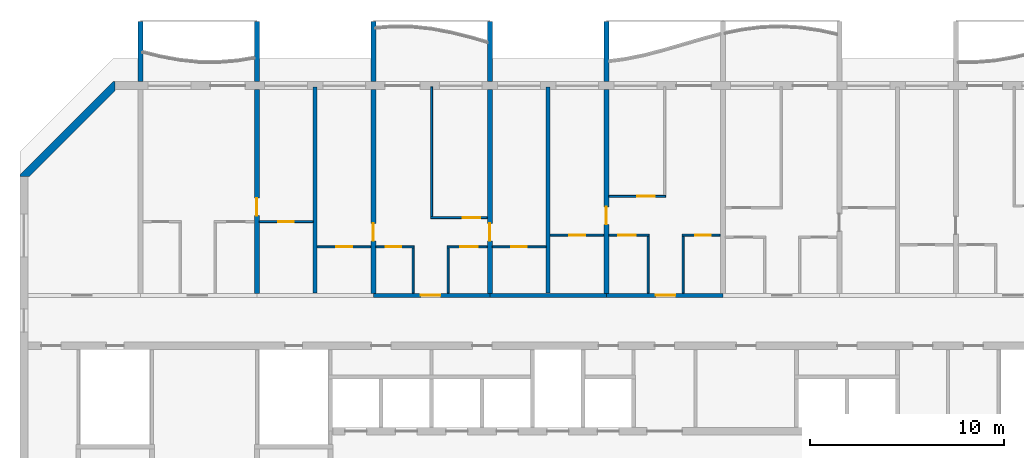
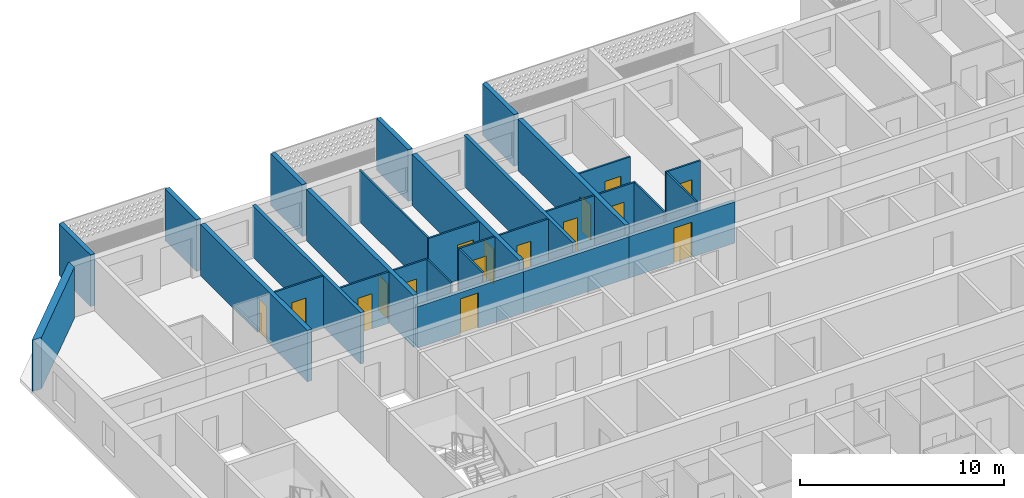
# One storey, part 8 of 26: 30 walls, 16 doors, 16 openings.
"""IFC4 building model written with IfcOpenShell, lengths in metres."""

from ifc_helpers import new_model, si_unit, direction, frame, frame_2d, origin, place, context, subcontext, project, spatial, polyline, rectangle, outline, extrude, source, transform, mapped, material, layer, layer_set, type_object, element, fill, save


model = new_model("IFC4")

# Units and contexts
model_context = context("Model", 3, precision=1e-05, world=origin(), true_north=direction((0.0, 1.0)))
body_context = subcontext(model_context, "Body", "Model", "MODEL_VIEW")
ifc_project = project(units=[si_unit("LENGTHUNIT", "METRE"), si_unit("AREAUNIT", "SQUARE_METRE"), si_unit("VOLUMEUNIT", "CUBIC_METRE"), si_unit("PLANEANGLEUNIT", "RADIAN"), si_unit("MASSUNIT", "GRAM", prefix="KILO")], contexts=[model_context])

# Site, building, storey
site_placement = place(None, origin())
site = spatial("IfcSite", under=ifc_project, at=site_placement, CompositionType="ELEMENT")
building_placement = place(site_placement, origin())
building = spatial("IfcBuilding", under=site, at=building_placement, Name="Poui Terraces", CompositionType="ELEMENT")
storey_placement = place(building_placement, frame((0.0, 0.0, 171.89990234375)))
storey = spatial("IfcBuildingStorey", under=building, at=storey_placement, Name="L47", CompositionType="ELEMENT", Elevation=171.89990234375)

# Wall, opening, door
ifc_material_1 = material(Name="Concrete 50 MPa", Category="concrete")
ifc_layer_1 = layer(ifc_material_1, 0.199951171875)
ifc_layer_set_1 = layer_set([ifc_layer_1], Name="Concrete 50 MPa")
wall_type_1 = type_object("IfcWallType", Name="CORRIDOR WALL 200 50MPa", PredefinedType="SHEAR", material=ifc_layer_set_1)
wall_1_placement = place(storey_placement, frame((36.0, 30.39990234375, 0.0), z_axis=(0.0, 0.0, 1.0), x_axis=(1.0, 0.0, 0.0)))
wall_1 = element("IfcWall", 1, at=wall_1_placement, inside=storey, type_object=wall_type_1, Name="CORRIDOR WALL LINE E BAY 4", PredefinedType="SHEAR", context=body_context, shape_type="SweptSolid", body=[
    extrude(rectangle(XDim=6.0, YDim=0.199951171875, at=frame_2d((3.0, 0.0))), origin(), (0.0, 0.0, 1.0), 2.47998046875),
])
opening_1_placement = place(wall_1_placement, frame((2.449951171875, 0.0, 0.0)))
opening_1 = element("IfcOpeningElement", 2, at=opening_1_placement, cuts=wall_1, Name="Opening FD30S", PredefinedType="OPENING", context=body_context, shape_type="SweptSolid", body=[
    extrude(rectangle(XDim=1.0, YDim=2.10009765625, at=frame_2d((0.5, 1.050048828125))), frame((0.0, 0.10986328125, 0.0), z_axis=(0.0, -1.0, 0.0), x_axis=(1.0, 0.0, 0.0)), (0.0, 0.0, 1.0), 0.219970703125),
])
ifc_material_2 = material(Name="Steel fire door", Category="steel")
door_type_1 = type_object("IfcDoorType", Name="FLAT ENTRANCE DOOR 1000 X 2100", OperationType="NOTDEFINED", PredefinedType="DOOR", material=ifc_material_2)
door_1_placement = place(opening_1_placement, origin())
door_1 = element("IfcDoor", 3, at=door_1_placement, inside=storey, type_object=door_type_1, Name="FLAT ENTRANCE DOOR 035", OperationType="SINGLE_SWING_LEFT", OverallHeight=2.10009765625, OverallWidth=1.0, PredefinedType="DOOR", context=body_context, shape_type="SweptSolid", body=[
    extrude(rectangle(XDim=1.0, YDim=2.10009765625, at=frame_2d((0.5, 1.050048828125))), frame((0.0, 0.02490234375, 0.0), z_axis=(0.0, -1.0, 0.0), x_axis=(1.0, 0.0, 0.0)), (0.0, 0.0, 1.0), 0.050048828125),
])
fill(opening_1, door_1)

# Wall
wall_2_placement = place(storey_placement, frame((42.0, 30.39990234375, 0.0), z_axis=(0.0, 0.0, 1.0), x_axis=(1.0, 0.0, 0.0)))
element("IfcWall", 4, at=wall_2_placement, inside=storey, type_object=wall_type_1, Name="CORRIDOR WALL LINE E BAY 5", PredefinedType="SHEAR", context=body_context, shape_type="SweptSolid", body=[
    extrude(rectangle(XDim=6.0, YDim=0.199951171875, at=frame_2d((3.0, 0.0))), origin(), (0.0, 0.0, 1.0), 2.47998046875),
])

# Wall, opening, door
wall_3_placement = place(storey_placement, frame((48.0, 30.39990234375, 0.0), z_axis=(0.0, 0.0, 1.0), x_axis=(1.0, 0.0, 0.0)))
wall_3 = element("IfcWall", 5, at=wall_3_placement, inside=storey, type_object=wall_type_1, Name="CORRIDOR WALL LINE E BAY 6", PredefinedType="SHEAR", context=body_context, shape_type="SweptSolid", body=[
    extrude(rectangle(XDim=6.0, YDim=0.199951171875, at=frame_2d((3.0, 0.0))), origin(), (0.0, 0.0, 1.0), 2.47998046875),
])
opening_2_placement = place(wall_3_placement, frame((2.550048828125, 0.0, 0.0)))
opening_2 = element("IfcOpeningElement", 6, at=opening_2_placement, cuts=wall_3, Name="Opening FD30S", PredefinedType="OPENING", context=body_context, shape_type="SweptSolid", body=[
    extrude(rectangle(XDim=1.0, YDim=2.10009765625, at=frame_2d((0.5, 1.050048828125))), frame((0.0, 0.10986328125, 0.0), z_axis=(0.0, -1.0, 0.0), x_axis=(1.0, 0.0, 0.0)), (0.0, 0.0, 1.0), 0.219970703125),
])
door_2_placement = place(opening_2_placement, origin())
door_2 = element("IfcDoor", 7, at=door_2_placement, inside=storey, type_object=door_type_1, Name="FLAT ENTRANCE DOOR 043", OperationType="SINGLE_SWING_RIGHT", OverallHeight=2.10009765625, OverallWidth=1.0, PredefinedType="DOOR", context=body_context, shape_type="SweptSolid", body=[
    extrude(rectangle(XDim=1.0, YDim=2.10009765625, at=frame_2d((0.5, 1.050048828125))), frame((0.0, 0.02490234375, 0.0), z_axis=(0.0, -1.0, 0.0), x_axis=(1.0, 0.0, 0.0)), (0.0, 0.0, 1.0), 0.050048828125),
])
fill(opening_2, door_2)

ifc_layer_2 = layer(ifc_material_1, 0.25)
ifc_layer_set_2 = layer_set([ifc_layer_2], Name="Concrete 50 MPa")
wall_type_2 = type_object("IfcWallType", Name="CROSS WALL 250 50MPa", PredefinedType="SHEAR", material=ifc_layer_set_2)
wall_4_placement = place(storey_placement, frame((30.0, 30.5, 0.0), z_axis=(0.0, 0.0, 1.0), x_axis=(0.0, 1.0, 0.0)))
wall_4 = element("IfcWall", 8, at=wall_4_placement, inside=storey, type_object=wall_type_2, Name="CROSS WALL LINE 6 NORTH", PredefinedType="SHEAR", context=body_context, shape_type="SweptSolid", body=[
    extrude(rectangle(XDim=10.5, YDim=0.25, at=frame_2d((5.25, 0.0))), origin(), (0.0, 0.0, 1.0), 3.080078125),
])
opening_3_placement = place(wall_4_placement, frame((4.0, 0.0, 0.0)))
opening_3 = element("IfcOpeningElement", 9, at=opening_3_placement, cuts=wall_4, Name="Opening D90", PredefinedType="OPENING", context=body_context, shape_type="SweptSolid", body=[
    extrude(rectangle(XDim=0.89990234375, YDim=2.10009765625, at=frame_2d((0.449951171875, 1.050048828125))), frame((0.0, 0.135009765625, 0.0), z_axis=(0.0, -1.0, 0.0), x_axis=(1.0, 0.0, 0.0)), (0.0, 0.0, 1.0), 0.27001953125),
])
ifc_material_3 = material(Name="Solid core timber door", Category="wood")
door_type_2 = type_object("IfcDoorType", Name="INTERNAL DOOR 900 X 2100", OperationType="NOTDEFINED", PredefinedType="DOOR", material=ifc_material_3)
door_3_placement = place(opening_3_placement, frame((0.89990234375, 0.0, 0.0), z_axis=(0.0, 0.0, 1.0), x_axis=(-1.0, 0.0, 0.0)))
door_3 = element("IfcDoor", 10, at=door_3_placement, inside=storey, type_object=door_type_2, Name="INTERNAL DOOR 030", OperationType="SINGLE_SWING_RIGHT", OverallHeight=2.10009765625, OverallWidth=0.89990234375, PredefinedType="DOOR", context=body_context, shape_type="SweptSolid", body=[
    extrude(rectangle(XDim=0.89990234375, YDim=2.10009765625, at=frame_2d((0.449951171875, 1.050048828125))), frame((0.0, 0.02490234375, 0.0), z_axis=(0.0, -1.0, 0.0), x_axis=(1.0, 0.0, 0.0)), (0.0, 0.0, 1.0), 0.050048828125),
])
fill(opening_3, door_3)

wall_5_placement = place(storey_placement, frame((36.0, 30.5, 0.0), z_axis=(0.0, 0.0, 1.0), x_axis=(0.0, 1.0, 0.0)))
wall_5 = element("IfcWall", 11, at=wall_5_placement, inside=storey, type_object=wall_type_2, Name="CROSS WALL LINE 7 NORTH", PredefinedType="SHEAR", context=body_context, shape_type="SweptSolid", body=[
    extrude(rectangle(XDim=10.5, YDim=0.25, at=frame_2d((5.25, 0.0))), origin(), (0.0, 0.0, 1.0), 3.080078125),
])
opening_4_placement = place(wall_5_placement, frame((2.699951171875, 0.0, 0.0)))
opening_4 = element("IfcOpeningElement", 12, at=opening_4_placement, cuts=wall_5, Name="Opening D90", PredefinedType="OPENING", context=body_context, shape_type="SweptSolid", body=[
    extrude(rectangle(XDim=0.89990234375, YDim=2.10009765625, at=frame_2d((0.449951171875, 1.050048828125))), frame((0.0, 0.135009765625, 0.0), z_axis=(0.0, -1.0, 0.0), x_axis=(1.0, 0.0, 0.0)), (0.0, 0.0, 1.0), 0.27001953125),
])
door_4_placement = place(opening_4_placement, origin())
door_4 = element("IfcDoor", 13, at=door_4_placement, inside=storey, type_object=door_type_2, Name="INTERNAL DOOR 033", OperationType="SINGLE_SWING_LEFT", OverallHeight=2.10009765625, OverallWidth=0.89990234375, PredefinedType="DOOR", context=body_context, shape_type="SweptSolid", body=[
    extrude(rectangle(XDim=0.89990234375, YDim=2.10009765625, at=frame_2d((0.449951171875, 1.050048828125))), frame((0.0, 0.02490234375, 0.0), z_axis=(0.0, -1.0, 0.0), x_axis=(1.0, 0.0, 0.0)), (0.0, 0.0, 1.0), 0.050048828125),
])
fill(opening_4, door_4)

wall_6_placement = place(storey_placement, frame((42.0, 30.5, 0.0), z_axis=(0.0, 0.0, 1.0), x_axis=(0.0, 1.0, 0.0)))
wall_6 = element("IfcWall", 14, at=wall_6_placement, inside=storey, type_object=wall_type_2, Name="CROSS WALL LINE 8 NORTH", PredefinedType="SHEAR", context=body_context, shape_type="SweptSolid", body=[
    extrude(rectangle(XDim=10.5, YDim=0.25, at=frame_2d((5.25, 0.0))), origin(), (0.0, 0.0, 1.0), 3.080078125),
])
opening_5_placement = place(wall_6_placement, frame((2.699951171875, 0.0, 0.0)))
opening_5 = element("IfcOpeningElement", 15, at=opening_5_placement, cuts=wall_6, Name="Opening D90", PredefinedType="OPENING", context=body_context, shape_type="SweptSolid", body=[
    extrude(rectangle(XDim=0.89990234375, YDim=2.10009765625, at=frame_2d((0.449951171875, 1.050048828125))), frame((0.0, 0.135009765625, 0.0), z_axis=(0.0, -1.0, 0.0), x_axis=(1.0, 0.0, 0.0)), (0.0, 0.0, 1.0), 0.27001953125),
])
door_5_placement = place(opening_5_placement, frame((0.89990234375, 0.0, 0.0), z_axis=(0.0, 0.0, 1.0), x_axis=(-1.0, 0.0, 0.0)))
door_5 = element("IfcDoor", 16, at=door_5_placement, inside=storey, type_object=door_type_2, Name="INTERNAL DOOR 038", OperationType="SINGLE_SWING_RIGHT", OverallHeight=2.10009765625, OverallWidth=0.89990234375, PredefinedType="DOOR", context=body_context, shape_type="SweptSolid", body=[
    extrude(rectangle(XDim=0.89990234375, YDim=2.10009765625, at=frame_2d((0.449951171875, 1.050048828125))), frame((0.0, 0.02490234375, 0.0), z_axis=(0.0, -1.0, 0.0), x_axis=(1.0, 0.0, 0.0)), (0.0, 0.0, 1.0), 0.050048828125),
])
fill(opening_5, door_5)

wall_7_placement = place(storey_placement, frame((48.0, 30.5, 0.0), z_axis=(0.0, 0.0, 1.0), x_axis=(0.0, 1.0, 0.0)))
wall_7 = element("IfcWall", 17, at=wall_7_placement, inside=storey, type_object=wall_type_2, Name="CROSS WALL LINE 9 NORTH", PredefinedType="SHEAR", context=body_context, shape_type="SweptSolid", body=[
    extrude(rectangle(XDim=10.5, YDim=0.25, at=frame_2d((5.25, 0.0))), origin(), (0.0, 0.0, 1.0), 3.080078125),
])
opening_6_placement = place(wall_7_placement, frame((3.550048828125, 0.0, 0.0)))
opening_6 = element("IfcOpeningElement", 18, at=opening_6_placement, cuts=wall_7, Name="Opening D90", PredefinedType="OPENING", context=body_context, shape_type="SweptSolid", body=[
    extrude(rectangle(XDim=0.89990234375, YDim=2.10009765625, at=frame_2d((0.449951171875, 1.050048828125))), frame((0.0, 0.135009765625, 0.0), z_axis=(0.0, -1.0, 0.0), x_axis=(1.0, 0.0, 0.0)), (0.0, 0.0, 1.0), 0.27001953125),
])
door_6_placement = place(opening_6_placement, origin())
door_6 = element("IfcDoor", 19, at=door_6_placement, inside=storey, type_object=door_type_2, Name="INTERNAL DOOR 040", OperationType="SINGLE_SWING_LEFT", OverallHeight=2.10009765625, OverallWidth=0.89990234375, PredefinedType="DOOR", context=body_context, shape_type="SweptSolid", body=[
    extrude(rectangle(XDim=0.89990234375, YDim=2.10009765625, at=frame_2d((0.449951171875, 1.050048828125))), frame((0.0, 0.02490234375, 0.0), z_axis=(0.0, -1.0, 0.0), x_axis=(1.0, 0.0, 0.0)), (0.0, 0.0, 1.0), 0.050048828125),
])
fill(opening_6, door_6)

ifc_material_4 = material(Name="Plasterboard partition")
ifc_layer_3 = layer(ifc_material_4, 0.10009765625)
ifc_layer_set_3 = layer_set([ifc_layer_3], Name="Plasterboard partition")
wall_type_3 = type_object("IfcWallType", Name="FLAT PARTITION 100", PredefinedType="PARTITIONING", material=ifc_layer_set_3)
wall_8_placement = place(storey_placement, frame((33.10009765625, 32.89990234375, 0.0), z_axis=(0.0, 0.0, 1.0), x_axis=(1.0, 0.0, 0.0)))
wall_8 = element("IfcWall", 20, at=wall_8_placement, inside=storey, type_object=wall_type_3, Name="FLAT PARTITION 100", PredefinedType="PARTITIONING", context=body_context, shape_type="SweptSolid", body=[
    extrude(rectangle(XDim=2.764892578125, YDim=0.10009765625, at=frame_2d((1.38232421875, 0.0))), origin(), (0.0, 0.0, 1.0), 3.080078125),
])
opening_7_placement = place(wall_8_placement, frame((1.0, 0.0, 0.0)))
opening_7 = element("IfcOpeningElement", 21, at=opening_7_placement, cuts=wall_8, Name="Opening D80", PredefinedType="OPENING", context=body_context, shape_type="SweptSolid", body=[
    extrude(rectangle(XDim=0.800048828125, YDim=2.10009765625, at=frame_2d((0.39990234375, 1.050048828125))), frame((0.0, 0.06005859375, 0.0), z_axis=(0.0, -1.0, 0.0), x_axis=(1.0, 0.0, 0.0)), (0.0, 0.0, 1.0), 0.1201171875),
])
door_type_3 = type_object("IfcDoorType", Name="BATHROOM, LAUNDRY AND STORE DOOR 800 X 2100", OperationType="NOTDEFINED", PredefinedType="DOOR", material=ifc_material_3)
door_7_placement = place(opening_7_placement, frame((0.800048828125, 0.0, 0.0), z_axis=(0.0, 0.0, 1.0), x_axis=(-1.0, 0.0, 0.0)))
door_7 = element("IfcDoor", 22, at=door_7_placement, inside=storey, type_object=door_type_3, Name="BATHROOM, LAUNDRY AND STORE DOOR 031", OperationType="SINGLE_SWING_RIGHT", OverallHeight=2.10009765625, OverallWidth=0.800048828125, PredefinedType="DOOR", context=body_context, shape_type="SweptSolid", body=[
    extrude(rectangle(XDim=0.800048828125, YDim=2.10009765625, at=frame_2d((0.39990234375, 1.050048828125))), frame((0.0, 0.02490234375, 0.0), z_axis=(0.0, -1.0, 0.0), x_axis=(1.0, 0.0, 0.0)), (0.0, 0.0, 1.0), 0.050048828125),
])
fill(opening_7, door_7)

wall_9_placement = place(storey_placement, frame((36.135009765625, 32.89990234375, 0.0), z_axis=(0.0, 0.0, 1.0), x_axis=(1.0, 0.0, 0.0)))
wall_9 = element("IfcWall", 23, at=wall_9_placement, inside=storey, type_object=wall_type_3, Name="FLAT PARTITION 100", PredefinedType="PARTITIONING", context=body_context, shape_type="SweptSolid", body=[
    extrude(rectangle(XDim=1.965087890625, YDim=0.10009765625, at=frame_2d((0.982421875, 0.0))), origin(), (0.0, 0.0, 1.0), 3.080078125),
])
opening_8_placement = place(wall_9_placement, frame((0.489990234375, 0.0, 0.0)))
opening_8 = element("IfcOpeningElement", 24, at=opening_8_placement, cuts=wall_9, Name="Opening D80", PredefinedType="OPENING", context=body_context, shape_type="SweptSolid", body=[
    extrude(rectangle(XDim=0.800048828125, YDim=2.10009765625, at=frame_2d((0.39990234375, 1.050048828125))), frame((0.0, 0.06005859375, 0.0), z_axis=(0.0, -1.0, 0.0), x_axis=(1.0, 0.0, 0.0)), (0.0, 0.0, 1.0), 0.1201171875),
])
door_8_placement = place(opening_8_placement, frame((0.800048828125, 0.0, 0.0), z_axis=(0.0, 0.0, 1.0), x_axis=(-1.0, 0.0, 0.0)))
door_8 = element("IfcDoor", 25, at=door_8_placement, inside=storey, type_object=door_type_3, Name="BATHROOM, LAUNDRY AND STORE DOOR 034", OperationType="SINGLE_SWING_RIGHT", OverallHeight=2.10009765625, OverallWidth=0.800048828125, PredefinedType="DOOR", context=body_context, shape_type="SweptSolid", body=[
    extrude(rectangle(XDim=0.800048828125, YDim=2.10009765625, at=frame_2d((0.39990234375, 1.050048828125))), frame((0.0, 0.02490234375, 0.0), z_axis=(0.0, -1.0, 0.0), x_axis=(1.0, 0.0, 0.0)), (0.0, 0.0, 1.0), 0.050048828125),
])
fill(opening_8, door_8)

wall_10_placement = place(storey_placement, frame((39.800048828125, 32.89990234375, 0.0), z_axis=(0.0, 0.0, 1.0), x_axis=(1.0, 0.0, 0.0)))
wall_10 = element("IfcWall", 26, at=wall_10_placement, inside=storey, type_object=wall_type_3, Name="FLAT PARTITION 100", PredefinedType="PARTITIONING", context=body_context, shape_type="SweptSolid", body=[
    extrude(rectangle(XDim=2.06494140625, YDim=0.10009765625, at=frame_2d((1.032470703125, 0.0))), origin(), (0.0, 0.0, 1.0), 3.080078125),
])
opening_9_placement = place(wall_10_placement, frame((0.675048828125, 0.0, 0.0)))
opening_9 = element("IfcOpeningElement", 27, at=opening_9_placement, cuts=wall_10, Name="Opening D90", PredefinedType="OPENING", context=body_context, shape_type="SweptSolid", body=[
    extrude(rectangle(XDim=0.89990234375, YDim=2.10009765625, at=frame_2d((0.449951171875, 1.050048828125))), frame((0.0, 0.06005859375, 0.0), z_axis=(0.0, -1.0, 0.0), x_axis=(1.0, 0.0, 0.0)), (0.0, 0.0, 1.0), 0.1201171875),
])
door_9_placement = place(opening_9_placement, frame((0.89990234375, 0.0, 0.0), z_axis=(0.0, 0.0, 1.0), x_axis=(-1.0, 0.0, 0.0)))
door_9 = element("IfcDoor", 28, at=door_9_placement, inside=storey, type_object=door_type_2, Name="INTERNAL DOOR 036", OperationType="SINGLE_SWING_LEFT", OverallHeight=2.10009765625, OverallWidth=0.89990234375, PredefinedType="DOOR", context=body_context, shape_type="SweptSolid", body=[
    extrude(rectangle(XDim=0.89990234375, YDim=2.10009765625, at=frame_2d((0.449951171875, 1.050048828125))), frame((0.0, 0.02490234375, 0.0), z_axis=(0.0, -1.0, 0.0), x_axis=(1.0, 0.0, 0.0)), (0.0, 0.0, 1.0), 0.050048828125),
])
fill(opening_9, door_9)

wall_11_placement = place(storey_placement, frame((42.135009765625, 32.89990234375, 0.0), z_axis=(0.0, 0.0, 1.0), x_axis=(1.0, 0.0, 0.0)))
wall_11 = element("IfcWall", 29, at=wall_11_placement, inside=storey, type_object=wall_type_3, Name="FLAT PARTITION 100", PredefinedType="PARTITIONING", context=body_context, shape_type="SweptSolid", body=[
    extrude(rectangle(XDim=2.764892578125, YDim=0.10009765625, at=frame_2d((1.38232421875, 0.0))), origin(), (0.0, 0.0, 1.0), 3.080078125),
])
opening_10_placement = place(wall_11_placement, frame((0.965087890625, 0.0, 0.0)))
opening_10 = element("IfcOpeningElement", 30, at=opening_10_placement, cuts=wall_11, Name="Opening D80", PredefinedType="OPENING", context=body_context, shape_type="SweptSolid", body=[
    extrude(rectangle(XDim=0.800048828125, YDim=2.10009765625, at=frame_2d((0.39990234375, 1.050048828125))), frame((0.0, 0.06005859375, 0.0), z_axis=(0.0, -1.0, 0.0), x_axis=(1.0, 0.0, 0.0)), (0.0, 0.0, 1.0), 0.1201171875),
])
door_10_placement = place(opening_10_placement, frame((0.800048828125, 0.0, 0.0), z_axis=(0.0, 0.0, 1.0), x_axis=(-1.0, 0.0, 0.0)))
door_10 = element("IfcDoor", 31, at=door_10_placement, inside=storey, type_object=door_type_3, Name="BATHROOM, LAUNDRY AND STORE DOOR 032", OperationType="SINGLE_SWING_RIGHT", OverallHeight=2.10009765625, OverallWidth=0.800048828125, PredefinedType="DOOR", context=body_context, shape_type="SweptSolid", body=[
    extrude(rectangle(XDim=0.800048828125, YDim=2.10009765625, at=frame_2d((0.39990234375, 1.050048828125))), frame((0.0, 0.02490234375, 0.0), z_axis=(0.0, -1.0, 0.0), x_axis=(1.0, 0.0, 0.0)), (0.0, 0.0, 1.0), 0.050048828125),
])
fill(opening_10, door_10)

wall_12_placement = place(storey_placement, frame((45.10009765625, 33.5, 0.0), z_axis=(0.0, 0.0, 1.0), x_axis=(1.0, 0.0, 0.0)))
wall_12 = element("IfcWall", 32, at=wall_12_placement, inside=storey, type_object=wall_type_3, Name="FLAT PARTITION 100", PredefinedType="PARTITIONING", context=body_context, shape_type="SweptSolid", body=[
    extrude(rectangle(XDim=2.764892578125, YDim=0.10009765625, at=frame_2d((1.38232421875, 0.0))), origin(), (0.0, 0.0, 1.0), 3.080078125),
])
opening_11_placement = place(wall_12_placement, frame((1.0, 0.0, 0.0)))
opening_11 = element("IfcOpeningElement", 33, at=opening_11_placement, cuts=wall_12, Name="Opening D80", PredefinedType="OPENING", context=body_context, shape_type="SweptSolid", body=[
    extrude(rectangle(XDim=0.800048828125, YDim=2.10009765625, at=frame_2d((0.39990234375, 1.050048828125))), frame((0.0, 0.06005859375, 0.0), z_axis=(0.0, -1.0, 0.0), x_axis=(1.0, 0.0, 0.0)), (0.0, 0.0, 1.0), 0.1201171875),
])
door_11_placement = place(opening_11_placement, frame((0.800048828125, 0.0, 0.0), z_axis=(0.0, 0.0, 1.0), x_axis=(-1.0, 0.0, 0.0)))
door_11 = element("IfcDoor", 34, at=door_11_placement, inside=storey, type_object=door_type_3, Name="BATHROOM, LAUNDRY AND STORE DOOR 039", OperationType="SINGLE_SWING_LEFT", OverallHeight=2.10009765625, OverallWidth=0.800048828125, PredefinedType="DOOR", context=body_context, shape_type="SweptSolid", body=[
    extrude(rectangle(XDim=0.800048828125, YDim=2.10009765625, at=frame_2d((0.39990234375, 1.050048828125))), frame((0.0, 0.02490234375, 0.0), z_axis=(0.0, -1.0, 0.0), x_axis=(1.0, 0.0, 0.0)), (0.0, 0.0, 1.0), 0.050048828125),
])
fill(opening_11, door_11)

wall_13_placement = place(storey_placement, frame((48.135009765625, 33.5, 0.0), z_axis=(0.0, 0.0, 1.0), x_axis=(1.0, 0.0, 0.0)))
wall_13 = element("IfcWall", 35, at=wall_13_placement, inside=storey, type_object=wall_type_3, Name="FLAT PARTITION 100", PredefinedType="PARTITIONING", context=body_context, shape_type="SweptSolid", body=[
    extrude(rectangle(XDim=2.06494140625, YDim=0.10009765625, at=frame_2d((1.032470703125, 0.0))), origin(), (0.0, 0.0, 1.0), 3.080078125),
])
opening_12_placement = place(wall_13_placement, frame((0.489990234375, 0.0, 0.0)))
opening_12 = element("IfcOpeningElement", 36, at=opening_12_placement, cuts=wall_13, Name="Opening D90", PredefinedType="OPENING", context=body_context, shape_type="SweptSolid", body=[
    extrude(rectangle(XDim=0.89990234375, YDim=2.10009765625, at=frame_2d((0.449951171875, 1.050048828125))), frame((0.0, 0.06005859375, 0.0), z_axis=(0.0, -1.0, 0.0), x_axis=(1.0, 0.0, 0.0)), (0.0, 0.0, 1.0), 0.1201171875),
])
door_12_placement = place(opening_12_placement, frame((0.89990234375, 0.0, 0.0), z_axis=(0.0, 0.0, 1.0), x_axis=(-1.0, 0.0, 0.0)))
door_12 = element("IfcDoor", 37, at=door_12_placement, inside=storey, type_object=door_type_2, Name="INTERNAL DOOR 041", OperationType="SINGLE_SWING_LEFT", OverallHeight=2.10009765625, OverallWidth=0.89990234375, PredefinedType="DOOR", context=body_context, shape_type="SweptSolid", body=[
    extrude(rectangle(XDim=0.89990234375, YDim=2.10009765625, at=frame_2d((0.449951171875, 1.050048828125))), frame((0.0, 0.02490234375, 0.0), z_axis=(0.0, -1.0, 0.0), x_axis=(1.0, 0.0, 0.0)), (0.0, 0.0, 1.0), 0.050048828125),
])
fill(opening_12, door_12)

wall_14_placement = place(storey_placement, frame((51.89990234375, 33.5, 0.0), z_axis=(0.0, 0.0, 1.0), x_axis=(1.0, 0.0, 0.0)))
wall_14 = element("IfcWall", 38, at=wall_14_placement, inside=storey, type_object=wall_type_3, Name="FLAT PARTITION 100", PredefinedType="PARTITIONING", context=body_context, shape_type="SweptSolid", body=[
    extrude(rectangle(XDim=1.965087890625, YDim=0.10009765625, at=frame_2d((0.982421875, 0.0))), origin(), (0.0, 0.0, 1.0), 3.080078125),
])
opening_13_placement = place(wall_14_placement, frame((0.675048828125, 0.0, 0.0)))
opening_13 = element("IfcOpeningElement", 39, at=opening_13_placement, cuts=wall_14, Name="Opening D80", PredefinedType="OPENING", context=body_context, shape_type="SweptSolid", body=[
    extrude(rectangle(XDim=0.800048828125, YDim=2.10009765625, at=frame_2d((0.39990234375, 1.050048828125))), frame((0.0, 0.06005859375, 0.0), z_axis=(0.0, -1.0, 0.0), x_axis=(1.0, 0.0, 0.0)), (0.0, 0.0, 1.0), 0.1201171875),
])
door_13_placement = place(opening_13_placement, frame((0.800048828125, 0.0, 0.0), z_axis=(0.0, 0.0, 1.0), x_axis=(-1.0, 0.0, 0.0)))
door_13 = element("IfcDoor", 40, at=door_13_placement, inside=storey, type_object=door_type_3, Name="BATHROOM, LAUNDRY AND STORE DOOR 044", OperationType="SINGLE_SWING_RIGHT", OverallHeight=2.10009765625, OverallWidth=0.800048828125, PredefinedType="DOOR", context=body_context, shape_type="SweptSolid", body=[
    extrude(rectangle(XDim=0.800048828125, YDim=2.10009765625, at=frame_2d((0.39990234375, 1.050048828125))), frame((0.0, 0.02490234375, 0.0), z_axis=(0.0, -1.0, 0.0), x_axis=(1.0, 0.0, 0.0)), (0.0, 0.0, 1.0), 0.050048828125),
])
fill(opening_13, door_13)

wall_15_placement = place(storey_placement, frame((30.135009765625, 34.199951171875, 0.0), z_axis=(0.0, 0.0, 1.0), x_axis=(1.0, 0.0, 0.0)))
wall_15 = element("IfcWall", 41, at=wall_15_placement, inside=storey, type_object=wall_type_3, Name="FLAT PARTITION 100", PredefinedType="PARTITIONING", context=body_context, shape_type="SweptSolid", body=[
    extrude(rectangle(XDim=2.764892578125, YDim=0.10009765625, at=frame_2d((1.38232421875, 0.0))), origin(), (0.0, 0.0, 1.0), 3.080078125),
])
opening_14_placement = place(wall_15_placement, frame((0.965087890625, 0.0, 0.0)))
opening_14 = element("IfcOpeningElement", 42, at=opening_14_placement, cuts=wall_15, Name="Opening D80", PredefinedType="OPENING", context=body_context, shape_type="SweptSolid", body=[
    extrude(rectangle(XDim=0.800048828125, YDim=2.10009765625, at=frame_2d((0.39990234375, 1.050048828125))), frame((0.0, 0.06005859375, 0.0), z_axis=(0.0, -1.0, 0.0), x_axis=(1.0, 0.0, 0.0)), (0.0, 0.0, 1.0), 0.1201171875),
])
door_14_placement = place(opening_14_placement, frame((0.800048828125, 0.0, 0.0), z_axis=(0.0, 0.0, 1.0), x_axis=(-1.0, 0.0, 0.0)))
door_14 = element("IfcDoor", 43, at=door_14_placement, inside=storey, type_object=door_type_3, Name="BATHROOM, LAUNDRY AND STORE DOOR 026", OperationType="SINGLE_SWING_LEFT", OverallHeight=2.10009765625, OverallWidth=0.800048828125, PredefinedType="DOOR", context=body_context, shape_type="SweptSolid", body=[
    extrude(rectangle(XDim=0.800048828125, YDim=2.10009765625, at=frame_2d((0.39990234375, 1.050048828125))), frame((0.0, 0.02490234375, 0.0), z_axis=(0.0, -1.0, 0.0), x_axis=(1.0, 0.0, 0.0)), (0.0, 0.0, 1.0), 0.050048828125),
])
fill(opening_14, door_14)

wall_16_placement = place(storey_placement, frame((38.949951171875, 34.39990234375, 0.0), z_axis=(0.0, 0.0, 1.0), x_axis=(1.0, 0.0, 0.0)))
wall_16 = element("IfcWall", 44, at=wall_16_placement, inside=storey, type_object=wall_type_3, Name="FLAT PARTITION 100", PredefinedType="PARTITIONING", context=body_context, shape_type="SweptSolid", body=[
    extrude(rectangle(XDim=2.9150390625, YDim=0.10009765625, at=frame_2d((1.45751953125, 0.0))), origin(), (0.0, 0.0, 1.0), 3.080078125),
])
opening_15_placement = place(wall_16_placement, frame((1.64990234375, 0.0, 0.0)))
opening_15 = element("IfcOpeningElement", 45, at=opening_15_placement, cuts=wall_16, Name="Opening D90", PredefinedType="OPENING", context=body_context, shape_type="SweptSolid", body=[
    extrude(rectangle(XDim=0.89990234375, YDim=2.10009765625, at=frame_2d((0.449951171875, 1.050048828125))), frame((0.0, 0.06005859375, 0.0), z_axis=(0.0, -1.0, 0.0), x_axis=(1.0, 0.0, 0.0)), (0.0, 0.0, 1.0), 0.1201171875),
])
door_15_placement = place(opening_15_placement, frame((0.89990234375, 0.0, 0.0), z_axis=(0.0, 0.0, 1.0), x_axis=(-1.0, 0.0, 0.0)))
door_15 = element("IfcDoor", 46, at=door_15_placement, inside=storey, type_object=door_type_2, Name="INTERNAL DOOR 037", OperationType="SINGLE_SWING_RIGHT", OverallHeight=2.10009765625, OverallWidth=0.89990234375, PredefinedType="DOOR", context=body_context, shape_type="SweptSolid", body=[
    extrude(rectangle(XDim=0.89990234375, YDim=2.10009765625, at=frame_2d((0.449951171875, 1.050048828125))), frame((0.0, 0.02490234375, 0.0), z_axis=(0.0, -1.0, 0.0), x_axis=(1.0, 0.0, 0.0)), (0.0, 0.0, 1.0), 0.050048828125),
])
fill(opening_15, door_15)

wall_17_placement = place(storey_placement, frame((48.135009765625, 35.5, 0.0), z_axis=(0.0, 0.0, 1.0), x_axis=(1.0, 0.0, 0.0)))
wall_17 = element("IfcWall", 47, at=wall_17_placement, inside=storey, type_object=wall_type_3, Name="FLAT PARTITION 100", PredefinedType="PARTITIONING", context=body_context, shape_type="SweptSolid", body=[
    extrude(rectangle(XDim=2.9150390625, YDim=0.10009765625, at=frame_2d((1.45751953125, 0.0))), origin(), (0.0, 0.0, 1.0), 3.080078125),
])
opening_16_placement = place(wall_17_placement, frame((1.465087890625, 0.0, 0.0)))
opening_16 = element("IfcOpeningElement", 48, at=opening_16_placement, cuts=wall_17, Name="Opening D90", PredefinedType="OPENING", context=body_context, shape_type="SweptSolid", body=[
    extrude(rectangle(XDim=0.89990234375, YDim=2.10009765625, at=frame_2d((0.449951171875, 1.050048828125))), frame((0.0, 0.06005859375, 0.0), z_axis=(0.0, -1.0, 0.0), x_axis=(1.0, 0.0, 0.0)), (0.0, 0.0, 1.0), 0.1201171875),
])
door_16_placement = place(opening_16_placement, frame((0.89990234375, 0.0, 0.0), z_axis=(0.0, 0.0, 1.0), x_axis=(-1.0, 0.0, 0.0)))
door_16 = element("IfcDoor", 49, at=door_16_placement, inside=storey, type_object=door_type_2, Name="INTERNAL DOOR 042", OperationType="SINGLE_SWING_RIGHT", OverallHeight=2.10009765625, OverallWidth=0.89990234375, PredefinedType="DOOR", context=body_context, shape_type="SweptSolid", body=[
    extrude(rectangle(XDim=0.89990234375, YDim=2.10009765625, at=frame_2d((0.449951171875, 1.050048828125))), frame((0.0, 0.02490234375, 0.0), z_axis=(0.0, -1.0, 0.0), x_axis=(1.0, 0.0, 0.0)), (0.0, 0.0, 1.0), 0.050048828125),
])
fill(opening_16, door_16)

# Walls
wall_18_placement = place(storey_placement, frame((38.050048828125, 30.510009765625, 0.0), z_axis=(0.0, 0.0, 1.0), x_axis=(0.0, 1.0, 0.0)))
element("IfcWall", 50, at=wall_18_placement, inside=storey, type_object=wall_type_3, Name="FLAT PARTITION 100", PredefinedType="PARTITIONING", context=body_context, shape_type="SweptSolid", body=[
    extrude(rectangle(XDim=2.340087890625, YDim=0.10009765625, at=frame_2d((1.169921875, 0.0))), origin(), (0.0, 0.0, 1.0), 3.080078125),
])
wall_19_placement = place(storey_placement, frame((39.0, 34.449951171875, 0.0), z_axis=(0.0, 0.0, 1.0), x_axis=(0.0, 1.0, 0.0)))
element("IfcWall", 51, at=wall_19_placement, inside=storey, type_object=wall_type_3, Name="FLAT PARTITION 100", PredefinedType="PARTITIONING", context=body_context, shape_type="SweptSolid", body=[
    extrude(rectangle(XDim=6.68994140625, YDim=0.10009765625, at=frame_2d((3.344970703125, 0.0))), origin(), (0.0, 0.0, 1.0), 3.080078125),
])
wall_20_placement = place(storey_placement, frame((39.85009765625, 30.510009765625, 0.0), z_axis=(0.0, 0.0, 1.0), x_axis=(0.0, 1.0, 0.0)))
element("IfcWall", 52, at=wall_20_placement, inside=storey, type_object=wall_type_3, Name="FLAT PARTITION 100", PredefinedType="PARTITIONING", context=body_context, shape_type="SweptSolid", body=[
    extrude(rectangle(XDim=2.340087890625, YDim=0.10009765625, at=frame_2d((1.169921875, 0.0))), origin(), (0.0, 0.0, 1.0), 3.080078125),
])
for number, where, z_axis, x_axis, name in (
    (53, (50.14990234375, 30.510009765625, 0.0), (0.0, 0.0, 1.0), (0.0, 1.0, 0.0), "FLAT PARTITION 100"),
    (54, (51.949951171875, 30.510009765625, 0.0), (0.0, 0.0, 1.0), (0.0, 1.0, 0.0), "FLAT PARTITION 100"),
):
    element("IfcWall", number, at=place(storey_placement, frame(where, z_axis=z_axis, x_axis=x_axis)), inside=storey, type_object=wall_type_3, Name=name, PredefinedType="PARTITIONING", context=body_context, shape_type="SweptSolid", body=[
        extrude(rectangle(XDim=2.93994140625, YDim=0.10009765625, at=frame_2d((1.469970703125, 0.0))), origin(), (0.0, 0.0, 1.0), 3.080078125),
    ])
ifc_material_5 = material(Name="Fire-rated masonry wall", Category="masonry")
ifc_layer_4 = layer(ifc_material_5, 0.199951171875)
ifc_layer_set_4 = layer_set([ifc_layer_4], Name="Fire-rated masonry wall")
wall_type_4 = type_object("IfcWallType", Name="FLAT PARTY WALL 200", PredefinedType="PARTITIONING", material=ifc_layer_set_4)
for number, where, z_axis, x_axis, name in (
    (55, (33.0, 30.510009765625, 0.0), (0.0, 0.0, 1.0), (0.0, 1.0, 0.0), "FLAT PARTY WALL 200"),
    (56, (45.0, 30.510009765625, 0.0), (0.0, 0.0, 1.0), (0.0, 1.0, 0.0), "FLAT PARTY WALL 200"),
):
    element("IfcWall", number, at=place(storey_placement, frame(where, z_axis=z_axis, x_axis=x_axis)), inside=storey, type_object=wall_type_4, Name=name, PredefinedType="PARTITIONING", context=body_context, shape_type="SweptSolid", body=[
        extrude(rectangle(XDim=10.6298828125, YDim=0.199951171875, at=frame_2d((5.31494140625, 0.0))), origin(), (0.0, 0.0, 1.0), 3.080078125),
    ])
ifc_material_6 = material(Name="Precast concrete 40 MPa", Category="concrete")
ifc_layer_5 = layer(ifc_material_6, 0.39990234375)
ifc_layer_set_5 = layer_set([ifc_layer_5], Name="Precast concrete 40 MPa")
wall_type_5 = type_object("IfcWallType", Name="TERRACOTTA CLAD CHAMFER WALL 400", PredefinedType="STANDARD", material=ifc_layer_set_5)
wall_21_placement = place(storey_placement, origin())
element("IfcWall", 57, at=wall_21_placement, inside=storey, type_object=wall_type_5, Name="CHAMFER WALL CH05", PredefinedType="STANDARD", context=body_context, shape_type="SweptSolid", body=[
    extrude(outline(polyline([(22.682861328125, 41.39990234375), (22.60009765625, 41.39990234375), (17.800048828125, 36.60009765625), (17.800048828125, 36.51708984375), (18.28271484375, 36.51708984375), (22.682861328125, 40.917236328125), (22.682861328125, 41.39990234375)])), origin(), (0.0, 0.0, 1.0), 3.080078125),
])
ifc_layer_6 = layer(ifc_material_6, 0.25)
ifc_layer_set_6 = layer_set([ifc_layer_6], Name="Precast concrete 40 MPa")
wall_type_6 = type_object("IfcWallType", Name="BALCONY FIN 250", PredefinedType="STANDARD", material=ifc_layer_set_6)
shared_shape = source(origin(), body_context, "Body", "SweptSolid", [
    extrude(outline(polyline([(0.0, 0.0), (0.25, 0.0), (0.25, 3.10009765625), (0.0, 3.10009765625), (0.0, 0.0)])), origin(), (0.0, 0.0, 1.0), 3.10009765625),
])
for number, where, name in (
    (58, (23.875, 41.39990234375, 0.0), "BALCONY FIN"),
    (59, (29.875, 41.39990234375, 0.0), "BALCONY FIN"),
    (60, (35.875, 41.39990234375, 0.0), "BALCONY FIN"),
    (61, (41.875, 41.39990234375, 0.0), "BALCONY FIN"),
    (62, (47.875, 41.39990234375, 0.0), "BALCONY FIN"),
):
    element("IfcWall", number, at=place(storey_placement, frame(where)), inside=storey, type_object=wall_type_6, Name=name, PredefinedType="STANDARD", context=body_context, shape_type="MappedRepresentation", body=[
        mapped(shared_shape, transform((0.0, 0.0, 0.0))),
    ])

save(model, "model.ifc")
